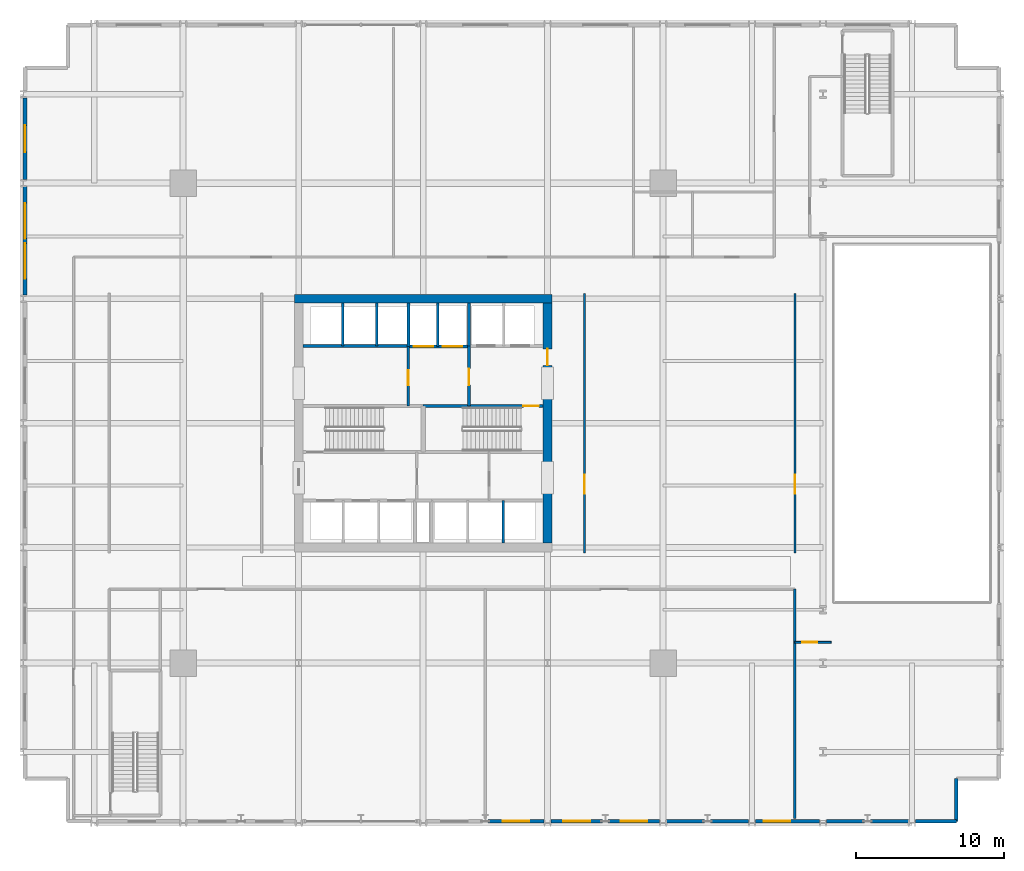
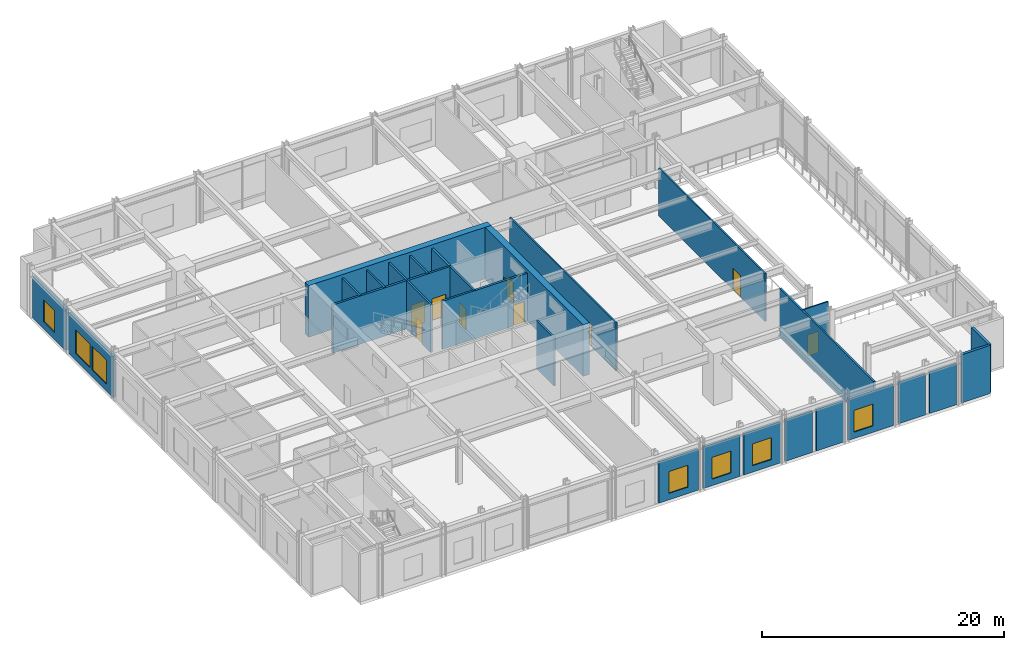
# One storey, part 12 of 20: 29 walls, 9 doors, 7 windows, 16 openings.
"""IFC4 building model written with IfcOpenShell, lengths in metres."""

from ifc_helpers import new_model, si_unit, direction, frame, frame_2d, origin, place, context, subcontext, project, spatial, rectangle, extrude, material, layer, layer_set, type_object, element, fill, save


model = new_model("IFC4")

# Units and contexts
model_context = context("Model", 3, precision=1e-05, world=origin(), true_north=direction((0.0, 1.0)))
body_context = subcontext(model_context, "Body", "Model", "MODEL_VIEW")
ifc_project = project(units=[si_unit("LENGTHUNIT", "METRE"), si_unit("AREAUNIT", "SQUARE_METRE"), si_unit("VOLUMEUNIT", "CUBIC_METRE"), si_unit("PLANEANGLEUNIT", "RADIAN"), si_unit("MASSUNIT", "GRAM", prefix="KILO")], contexts=[model_context])

# Site, building, storey
site_placement = place(None, origin())
site = spatial("IfcSite", under=ifc_project, at=site_placement, CompositionType="ELEMENT")
building_placement = place(site_placement, origin())
building = spatial("IfcBuilding", under=site, at=building_placement, Name="Drelvath Grand Hotel", CompositionType="ELEMENT")
storey_placement = place(building_placement, frame((0.0, 0.0, 5.60009765625)))
storey = spatial("IfcBuildingStorey", under=building, at=storey_placement, Name="L01", CompositionType="ELEMENT", Elevation=5.60009765625)

# Wall
ifc_material_1 = material(Name="Concrete C40/50", Category="concrete")
ifc_layer_1 = layer(ifc_material_1, 0.199951171875)
ifc_layer_set_1 = layer_set([ifc_layer_1], Name="Concrete C40/50")
wall_type_1 = type_object("IfcWallType", Name="Core Hoistway Fire Wall 200", PredefinedType="SOLIDWALL", material=ifc_layer_set_1)
wall_1_placement = place(storey_placement, frame((3.10009765625, 32.219970703125, 0.0), z_axis=(0.0, 0.0, 1.0), x_axis=(0.0, 1.0, 0.0)))
element("IfcWall", 1, at=wall_1_placement, inside=storey, type_object=wall_type_1, Name="L01 FSAE Hoistway West Wall", PredefinedType="SOLIDWALL", context=body_context, shape_type="SweptSolid", body=[
    extrude(rectangle(XDim=2.880126953125, YDim=0.199951171875, at=frame_2d((1.43994140625, 0.0))), origin(), (0.0, 0.0, 1.0), 4.849853515625),
])

# Wall, openings, doors
wall_2_placement = place(storey_placement, frame((-1.0, 32.179931640625, 0.0), z_axis=(0.0, 0.0, 1.0), x_axis=(1.0, 0.0, 0.0)))
wall_2 = element("IfcWall", 2, at=wall_2_placement, inside=storey, type_object=wall_type_1, Name="L01 Service Lift Hoistway Wall", PredefinedType="SOLIDWALL", context=body_context, shape_type="SweptSolid", body=[
    extrude(rectangle(XDim=4.10009765625, YDim=0.199951171875, at=frame_2d((2.050048828125, 0.0))), origin(), (0.0, 0.0, 1.0), 4.849853515625),
])
opening_1_placement = place(wall_2_placement, frame((0.3701171875, 0.0, 0.0)))
opening_1 = element("IfcOpeningElement", 3, at=opening_1_placement, cuts=wall_2, Name="Opening LD-SV-2", PredefinedType="OPENING", context=body_context, shape_type="SweptSolid", body=[
    extrude(rectangle(XDim=1.300048828125, YDim=2.199951171875, at=frame_2d((0.64990234375, 1.10009765625))), frame((0.0, 0.10986328125, 0.0), z_axis=(0.0, -1.0, 0.0), x_axis=(1.0, 0.0, 0.0)), (0.0, 0.0, 1.0), 0.219970703125),
])
opening_2_placement = place(wall_2_placement, frame((2.330078125, 0.0, 0.0)))
opening_2 = element("IfcOpeningElement", 4, at=opening_2_placement, cuts=wall_2, Name="Opening LD-SV-1", PredefinedType="OPENING", context=body_context, shape_type="SweptSolid", body=[
    extrude(rectangle(XDim=1.300048828125, YDim=2.199951171875, at=frame_2d((0.64990234375, 1.10009765625))), frame((0.0, 0.10986328125, 0.0), z_axis=(0.0, -1.0, 0.0), x_axis=(1.0, 0.0, 0.0)), (0.0, 0.0, 1.0), 0.219970703125),
])
ifc_material_2 = material(Name="Stainless Steel S355", Category="steel")
door_type_1 = type_object("IfcDoorType", Name="Service Lift Sliding Landing Door 1300x2200", OperationType="NOTDEFINED", PredefinedType="DOOR", material=ifc_material_2)
door_1_placement = place(opening_1_placement, origin())
door_1 = element("IfcDoor", 5, at=door_1_placement, inside=storey, type_object=door_type_1, Name="L01 Lift SV-2 Landing Door", OperationType="SLIDING_TO_LEFT", OverallHeight=2.199951171875, OverallWidth=1.300048828125, PredefinedType="DOOR", context=body_context, shape_type="SweptSolid", body=[
    extrude(rectangle(XDim=1.300048828125, YDim=2.199951171875, at=frame_2d((0.64990234375, 1.10009765625))), frame((0.0, 0.02490234375, 0.0), z_axis=(0.0, -1.0, 0.0), x_axis=(1.0, 0.0, 0.0)), (0.0, 0.0, 1.0), 0.050048828125),
])
fill(opening_1, door_1)
door_2_placement = place(opening_2_placement, origin())
door_2 = element("IfcDoor", 6, at=door_2_placement, inside=storey, type_object=door_type_1, Name="L01 Lift SV-1 Landing Door", OperationType="SLIDING_TO_LEFT", OverallHeight=2.199951171875, OverallWidth=1.300048828125, PredefinedType="DOOR", context=body_context, shape_type="SweptSolid", body=[
    extrude(rectangle(XDim=1.300048828125, YDim=2.199951171875, at=frame_2d((0.64990234375, 1.10009765625))), frame((0.0, 0.02490234375, 0.0), z_axis=(0.0, -1.0, 0.0), x_axis=(1.0, 0.0, 0.0)), (0.0, 0.0, 1.0), 0.050048828125),
])
fill(opening_2, door_2)

# Walls
wall_3_placement = place(storey_placement, frame((-1.0, 32.179931640625, 0.0), z_axis=(0.0, 0.0, 1.0), x_axis=(0.0, 1.0, 0.0)))
element("IfcWall", 7, at=wall_3_placement, inside=storey, type_object=wall_type_1, Name="L01 Service Lift West Wall", PredefinedType="SOLIDWALL", context=body_context, shape_type="SweptSolid", body=[
    extrude(rectangle(XDim=2.920166015625, YDim=0.199951171875, at=frame_2d((1.4599609375, 0.0))), origin(), (0.0, 0.0, 1.0), 4.849853515625),
])
wall_4_placement = place(storey_placement, frame((-8.10009765625, 32.219970703125, 0.0), z_axis=(0.0, 0.0, 1.0), x_axis=(1.0, 0.0, 0.0)))
element("IfcWall", 8, at=wall_4_placement, inside=storey, type_object=wall_type_1, Name="L01 Bank 3 Hoistway Wall", PredefinedType="SOLIDWALL", context=body_context, shape_type="SweptSolid", body=[
    extrude(rectangle(XDim=7.10009765625, YDim=0.199951171875, at=frame_2d((3.550048828125, 0.0))), origin(), (0.0, 0.0, 1.0), 4.849853515625),
])

# Wall, opening, door
ifc_layer_2 = layer(ifc_material_1, 0.199951171875)
ifc_layer_set_2 = layer_set([ifc_layer_2], Name="Concrete C40/50")
wall_type_2 = type_object("IfcWallType", Name="Core Shaft Fire Wall 200", PredefinedType="SOLIDWALL", material=ifc_layer_set_2)
wall_5_placement = place(storey_placement, frame((8.10009765625, 28.159912109375, 0.0), z_axis=(0.0, 0.0, 1.0), x_axis=(-1.0, 0.0, 0.0)))
wall_5 = element("IfcWall", 9, at=wall_5_placement, inside=storey, type_object=wall_type_2, Name="L01 Stair ST-2 North Wall", PredefinedType="SOLIDWALL", context=body_context, shape_type="SweptSolid", body=[
    extrude(rectangle(XDim=8.10009765625, YDim=0.199951171875, at=frame_2d((4.050048828125, 0.0))), origin(), (0.0, 0.0, 1.0), 4.849853515625),
])
opening_3_placement = place(wall_5_placement, frame((0.280029296875, 0.0, 0.0)))
opening_3 = element("IfcOpeningElement", 10, at=opening_3_placement, cuts=wall_5, Name="Opening D-L01-002", PredefinedType="OPENING", context=body_context, shape_type="SweptSolid", body=[
    extrude(rectangle(XDim=1.050048828125, YDim=2.10009765625, at=frame_2d((0.52490234375, 1.050048828125))), frame((0.0, 0.10986328125, 0.0), z_axis=(0.0, -1.0, 0.0), x_axis=(1.0, 0.0, 0.0)), (0.0, 0.0, 1.0), 0.219970703125),
])
ifc_material_3 = material(Name="Painted Steel S275", Category="steel")
door_type_2 = type_object("IfcDoorType", Name="Tower Stairwell Fire Door 1050x2100", OperationType="NOTDEFINED", PredefinedType="DOOR", material=ifc_material_3)
door_3_placement = place(opening_3_placement, origin())
door_3 = element("IfcDoor", 11, at=door_3_placement, inside=storey, type_object=door_type_2, Name="L01 Exit Stair ST-2 Door", OperationType="SINGLE_SWING_LEFT", OverallHeight=2.10009765625, OverallWidth=1.050048828125, PredefinedType="DOOR", context=body_context, shape_type="SweptSolid", body=[
    extrude(rectangle(XDim=1.050048828125, YDim=2.10009765625, at=frame_2d((0.52490234375, 1.050048828125))), frame((0.0, 0.02490234375, 0.0), z_axis=(0.0, -1.0, 0.0), x_axis=(1.0, 0.0, 0.0)), (0.0, 0.0, 1.0), 0.050048828125),
])
fill(opening_3, door_3)

# Walls
ifc_material_4 = material(Name="Gypsum Fireboard Partition")
ifc_layer_3 = layer(ifc_material_4, 0.1650390625)
ifc_layer_set_3 = layer_set([ifc_layer_3], Name="Gypsum Fireboard Partition")
wall_type_3 = type_object("IfcWallType", Name="Core Shaft Partition 165", PredefinedType="PARTITIONING", material=ifc_layer_set_3)
wall_6_placement = place(storey_placement, frame((1.0, 32.179931640625, 0.0), z_axis=(0.0, 0.0, 1.0), x_axis=(0.0, 1.0, 0.0)))
element("IfcWall", 12, at=wall_6_placement, inside=storey, type_object=wall_type_3, Name="L01 Service Lift Divider", PredefinedType="PARTITIONING", context=body_context, shape_type="SweptSolid", body=[
    extrude(rectangle(XDim=2.920166015625, YDim=0.1650390625, at=frame_2d((1.4599609375, 0.0))), origin(), (0.0, 0.0, 1.0), 4.849853515625),
])
for number, where, z_axis, x_axis, name in (
    (13, (-5.43994140625, 32.219970703125, 0.0), (0.0, 0.0, 1.0), (0.0, 1.0, 0.0), "L01 Lift PE-7/8 Divider"),
    (14, (-3.1201171875, 32.219970703125, 0.0), (0.0, 0.0, 1.0), (0.0, 1.0, 0.0), "L01 Lift PE-8/9 Divider"),
    (15, (5.39990234375, 18.89990234375, 0.0), (0.0, 0.0, 1.0), (0.0, 1.0, 0.0), "L01 Lift PE-5/6 Divider"),
):
    element("IfcWall", number, at=place(storey_placement, frame(where, z_axis=z_axis, x_axis=x_axis)), inside=storey, type_object=wall_type_3, Name=name, PredefinedType="PARTITIONING", context=body_context, shape_type="SweptSolid", body=[
        extrude(rectangle(XDim=2.880126953125, YDim=0.1650390625, at=frame_2d((1.43994140625, 0.0))), origin(), (0.0, 0.0, 1.0), 4.849853515625),
    ])

# Wall, opening, door
ifc_layer_4 = layer(ifc_material_4, 0.135009765625)
ifc_layer_set_4 = layer_set([ifc_layer_4], Name="Gypsum Fireboard Partition")
wall_type_4 = type_object("IfcWallType", Name="Corridor Fire Barrier Wall 135", PredefinedType="PARTITIONING", material=ifc_layer_set_4)
wall_7_placement = place(storey_placement, frame((10.89990234375, 18.239990234375, 0.0), z_axis=(0.0, 0.0, 1.0), x_axis=(0.0, 1.0, 0.0)))
wall_7 = element("IfcWall", 16, at=wall_7_placement, inside=storey, type_object=wall_type_4, Name="L01 East Inner Gallery Wall", PredefinedType="PARTITIONING", context=body_context, shape_type="SweptSolid", body=[
    extrude(rectangle(XDim=17.52001953125, YDim=0.135009765625, at=frame_2d((8.760009765625, 0.0))), origin(), (0.0, 0.0, 1.0), 4.849853515625),
])
opening_4_placement = place(wall_7_placement, frame((4.0, 0.0, 0.0)))
opening_4 = element("IfcOpeningElement", 17, at=opening_4_placement, cuts=wall_7, Name="Opening D-L01-029", PredefinedType="OPENING", context=body_context, shape_type="SweptSolid", body=[
    extrude(rectangle(XDim=1.260009765625, YDim=2.199951171875, at=frame_2d((0.6298828125, 1.10009765625))), frame((0.0, 0.077392578125, 0.0), z_axis=(0.0, -1.0, 0.0), x_axis=(1.0, 0.0, 0.0)), (0.0, 0.0, 1.0), 0.155029296875),
])
ifc_material_5 = material(Name="Hardwood Walnut Timber", Category="wood")
door_type_3 = type_object("IfcDoorType", Name="Suite Entrance Fire Door 1260x2200", OperationType="NOTDEFINED", PredefinedType="DOOR", material=ifc_material_5)
door_4_placement = place(opening_4_placement, origin())
door_4 = element("IfcDoor", 18, at=door_4_placement, inside=storey, type_object=door_type_3, Name="L01 Center-East Room West Door", OperationType="SINGLE_SWING_RIGHT", OverallHeight=2.199951171875, OverallWidth=1.260009765625, PredefinedType="DOOR", context=body_context, shape_type="SweptSolid", body=[
    extrude(rectangle(XDim=1.260009765625, YDim=2.199951171875, at=frame_2d((0.6298828125, 1.10009765625))), frame((0.0, 0.02490234375, 0.0), z_axis=(0.0, -1.0, 0.0), x_axis=(1.0, 0.0, 0.0)), (0.0, 0.0, 1.0), 0.050048828125),
])
fill(opening_4, door_4)

wall_8_placement = place(storey_placement, frame((25.10009765625, 18.239990234375, 0.0), z_axis=(0.0, 0.0, 1.0), x_axis=(0.0, 1.0, 0.0)))
wall_8 = element("IfcWall", 19, at=wall_8_placement, inside=storey, type_object=wall_type_4, Name="L01 Atrium Promenade Inner Wall", PredefinedType="PARTITIONING", context=body_context, shape_type="SweptSolid", body=[
    extrude(rectangle(XDim=17.52001953125, YDim=0.135009765625, at=frame_2d((8.760009765625, 0.0))), origin(), (0.0, 0.0, 1.0), 4.849853515625),
])
opening_5_placement = place(wall_8_placement, frame((4.0, 0.0, 0.0)))
opening_5 = element("IfcOpeningElement", 20, at=opening_5_placement, cuts=wall_8, Name="Opening D-L01-030", PredefinedType="OPENING", context=body_context, shape_type="SweptSolid", body=[
    extrude(rectangle(XDim=1.260009765625, YDim=2.199951171875, at=frame_2d((0.6298828125, 1.10009765625))), frame((0.0, 0.077392578125, 0.0), z_axis=(0.0, -1.0, 0.0), x_axis=(1.0, 0.0, 0.0)), (0.0, 0.0, 1.0), 0.155029296875),
])
door_5_placement = place(opening_5_placement, origin())
door_5 = element("IfcDoor", 21, at=door_5_placement, inside=storey, type_object=door_type_3, Name="L01 Center-East Room Atrium Door", OperationType="SINGLE_SWING_LEFT", OverallHeight=2.199951171875, OverallWidth=1.260009765625, PredefinedType="DOOR", context=body_context, shape_type="SweptSolid", body=[
    extrude(rectangle(XDim=1.260009765625, YDim=2.199951171875, at=frame_2d((0.6298828125, 1.10009765625))), frame((0.0, 0.02490234375, 0.0), z_axis=(0.0, -1.0, 0.0), x_axis=(1.0, 0.0, 0.0)), (0.0, 0.0, 1.0), 0.050048828125),
])
fill(opening_5, door_5)

wall_9_placement = place(storey_placement, frame((25.10009765625, 12.199951171875, 0.0), z_axis=(0.0, 0.0, 1.0), x_axis=(1.0, 0.0, 0.0)))
wall_9 = element("IfcWall", 22, at=wall_9_placement, inside=storey, type_object=wall_type_4, Name="L01 SE Atrium Corner Return", PredefinedType="PARTITIONING", context=body_context, shape_type="SweptSolid", body=[
    extrude(rectangle(XDim=2.449951171875, YDim=0.135009765625, at=frame_2d((1.22509765625, 0.0))), origin(), (0.0, 0.0, 1.0), 4.849853515625),
])
opening_6_placement = place(wall_9_placement, frame((0.5, 0.0, 0.0)))
opening_6 = element("IfcOpeningElement", 23, at=opening_6_placement, cuts=wall_9, Name="Opening D-L01-021", PredefinedType="OPENING", context=body_context, shape_type="SweptSolid", body=[
    extrude(rectangle(XDim=1.02001953125, YDim=2.14990234375, at=frame_2d((0.510009765625, 1.074951171875))), frame((0.0, 0.077392578125, 0.0), z_axis=(0.0, -1.0, 0.0), x_axis=(1.0, 0.0, 0.0)), (0.0, 0.0, 1.0), 0.155029296875),
])
door_type_4 = type_object("IfcDoorType", Name="Amenity Meeting Fire Door 1020x2150", OperationType="NOTDEFINED", PredefinedType="DOOR", material=ifc_material_5)
door_6_placement = place(opening_6_placement, origin())
door_6 = element("IfcDoor", 24, at=door_6_placement, inside=storey, type_object=door_type_4, Name="L01 SE VIP Salon Door", OperationType="SINGLE_SWING_RIGHT", OverallHeight=2.14990234375, OverallWidth=1.02001953125, PredefinedType="DOOR", context=body_context, shape_type="SweptSolid", body=[
    extrude(rectangle(XDim=1.02001953125, YDim=2.14990234375, at=frame_2d((0.510009765625, 1.074951171875))), frame((0.0, 0.02490234375, 0.0), z_axis=(0.0, -1.0, 0.0), x_axis=(1.0, 0.0, 0.0)), (0.0, 0.0, 1.0), 0.050048828125),
])
fill(opening_6, door_6)

ifc_layer_5 = layer(ifc_material_4, 0.179931640625)
ifc_layer_set_5 = layer_set([ifc_layer_5], Name="Gypsum Fireboard Partition")
wall_type_5 = type_object("IfcWallType", Name="FSAE Smoke Lobby Fire Wall 180", PredefinedType="SOLIDWALL", material=ifc_layer_set_5)
wall_10_placement = place(storey_placement, frame((3.10009765625, 28.159912109375, 0.0), z_axis=(0.0, 0.0, 1.0), x_axis=(0.0, 1.0, 0.0)))
wall_10 = element("IfcWall", 25, at=wall_10_placement, inside=storey, type_object=wall_type_5, Name="L01 FSAE Smoke Lobby West Wall", PredefinedType="SOLIDWALL", context=body_context, shape_type="SweptSolid", body=[
    extrude(rectangle(XDim=4.06005859375, YDim=0.179931640625, at=frame_2d((2.030029296875, 0.0))), origin(), (0.0, 0.0, 1.0), 4.849853515625),
])
opening_7_placement = place(wall_10_placement, frame((1.39990234375, 0.0, 0.0)))
opening_7 = element("IfcOpeningElement", 26, at=opening_7_placement, cuts=wall_10, Name="Opening D-L01-005", PredefinedType="OPENING", context=body_context, shape_type="SweptSolid", body=[
    extrude(rectangle(XDim=1.1201171875, YDim=2.10009765625, at=frame_2d((0.56005859375, 1.050048828125))), frame((0.0, 0.099853515625, 0.0), z_axis=(0.0, -1.0, 0.0), x_axis=(1.0, 0.0, 0.0)), (0.0, 0.0, 1.0), 0.199951171875),
])
door_type_5 = type_object("IfcDoorType", Name="FSAE Smoke Lobby Fire Door 1120x2100", OperationType="NOTDEFINED", PredefinedType="DOOR", material=ifc_material_3)
door_7_placement = place(opening_7_placement, origin())
door_7 = element("IfcDoor", 27, at=door_7_placement, inside=storey, type_object=door_type_5, Name="L01 FSAE Lobby Service Vestibule Door", OperationType="SINGLE_SWING_RIGHT", OverallHeight=2.10009765625, OverallWidth=1.1201171875, PredefinedType="DOOR", context=body_context, shape_type="SweptSolid", body=[
    extrude(rectangle(XDim=1.1201171875, YDim=2.10009765625, at=frame_2d((0.56005859375, 1.050048828125))), frame((0.0, 0.02490234375, 0.0), z_axis=(0.0, -1.0, 0.0), x_axis=(1.0, 0.0, 0.0)), (0.0, 0.0, 1.0), 0.050048828125),
])
fill(opening_7, door_7)

wall_11_placement = place(storey_placement, frame((-1.0, 28.159912109375, 0.0), z_axis=(0.0, 0.0, 1.0), x_axis=(0.0, 1.0, 0.0)))
wall_11 = element("IfcWall", 28, at=wall_11_placement, inside=storey, type_object=wall_type_5, Name="L01 Service Vestibule West Wall", PredefinedType="SOLIDWALL", context=body_context, shape_type="SweptSolid", body=[
    extrude(rectangle(XDim=4.02001953125, YDim=0.179931640625, at=frame_2d((2.010009765625, 0.0))), origin(), (0.0, 0.0, 1.0), 4.849853515625),
])
opening_8_placement = place(wall_11_placement, frame((1.39990234375, 0.0, 0.0)))
opening_8 = element("IfcOpeningElement", 29, at=opening_8_placement, cuts=wall_11, Name="Opening D-L01-009", PredefinedType="OPENING", context=body_context, shape_type="SweptSolid", body=[
    extrude(rectangle(XDim=1.0, YDim=2.10009765625, at=frame_2d((0.5, 1.050048828125))), frame((0.0, 0.099853515625, 0.0), z_axis=(0.0, -1.0, 0.0), x_axis=(1.0, 0.0, 0.0)), (0.0, 0.0, 1.0), 0.199951171875),
])
door_type_6 = type_object("IfcDoorType", Name="Core Service Fire Door 1000x2100", OperationType="NOTDEFINED", PredefinedType="DOOR", material=ifc_material_3)
door_8_placement = place(opening_8_placement, origin())
door_8 = element("IfcDoor", 30, at=door_8_placement, inside=storey, type_object=door_type_6, Name="L01 Service Vestibule West Door", OperationType="SINGLE_SWING_LEFT", OverallHeight=2.10009765625, OverallWidth=1.0, PredefinedType="DOOR", context=body_context, shape_type="SweptSolid", body=[
    extrude(rectangle(XDim=1.0, YDim=2.10009765625, at=frame_2d((0.5, 1.050048828125))), frame((0.0, 0.02490234375, 0.0), z_axis=(0.0, -1.0, 0.0), x_axis=(1.0, 0.0, 0.0)), (0.0, 0.0, 1.0), 0.050048828125),
])
fill(opening_8, door_8)

# Wall
ifc_material_6 = material(Name="Concrete f'c 70 MPa", Category="concrete")
ifc_layer_6 = layer(ifc_material_6, 0.60009765625)
ifc_layer_set_6 = layer_set([ifc_layer_6], Name="Concrete f'c 70 MPa")
wall_type_6 = type_object("IfcWallType", Name="Lower Core RC Shear Wall 600", PredefinedType="SHEAR", material=ifc_layer_set_6)
wall_12_placement = place(storey_placement, frame((-8.699951171875, 35.39990234375, 0.0), z_axis=(0.0, 0.0, 1.0), x_axis=(1.0, 0.0, 0.0)))
element("IfcWall", 31, at=wall_12_placement, inside=storey, type_object=wall_type_6, Name="L01 Central Core Shear Wall N", PredefinedType="SHEAR", context=body_context, shape_type="SweptSolid", body=[
    extrude(rectangle(XDim=17.39990234375, YDim=0.60009765625, at=frame_2d((8.699951171875, 0.0))), origin(), (0.0, 0.0, 1.0), 5.199951171875),
])

# Wall, opening, door
wall_13_placement = place(storey_placement, frame((8.39990234375, 35.10009765625, 0.0), z_axis=(0.0, 0.0, 1.0), x_axis=(0.0, -1.0, 0.0)))
wall_13 = element("IfcWall", 32, at=wall_13_placement, inside=storey, type_object=wall_type_6, Name="L01 Central Core Shear Wall E", PredefinedType="SHEAR", context=body_context, shape_type="SweptSolid", body=[
    extrude(rectangle(XDim=16.2001953125, YDim=0.60009765625, at=frame_2d((8.10009765625, 0.0))), origin(), (0.0, 0.0, 1.0), 5.199951171875),
])
opening_9_placement = place(wall_13_placement, frame((3.080078125, 0.0, 0.0)))
opening_9 = element("IfcOpeningElement", 33, at=opening_9_placement, cuts=wall_13, Name="Opening D-L01-006", PredefinedType="OPENING", context=body_context, shape_type="SweptSolid", body=[
    extrude(rectangle(XDim=1.1201171875, YDim=2.10009765625, at=frame_2d((0.56005859375, 1.050048828125))), frame((0.0, 0.31005859375, 0.0), z_axis=(0.0, -1.0, 0.0), x_axis=(1.0, 0.0, 0.0)), (0.0, 0.0, 1.0), 0.6201171875),
])
door_9_placement = place(opening_9_placement, origin())
door_9 = element("IfcDoor", 34, at=door_9_placement, inside=storey, type_object=door_type_5, Name="L01 FSAE Lobby East Corridor Door", OperationType="SINGLE_SWING_LEFT", OverallHeight=2.10009765625, OverallWidth=1.1201171875, PredefinedType="DOOR", context=body_context, shape_type="SweptSolid", body=[
    extrude(rectangle(XDim=1.1201171875, YDim=2.10009765625, at=frame_2d((0.56005859375, 1.050048828125))), frame((0.0, 0.02490234375, 0.0), z_axis=(0.0, -1.0, 0.0), x_axis=(1.0, 0.0, 0.0)), (0.0, 0.0, 1.0), 0.050048828125),
])
fill(opening_9, door_9)

# Wall, openings, windows
ifc_material_7 = material(Name="Insulated Granite Rainscreen Assembly", Category="masonry")
ifc_layer_7 = layer(ifc_material_7, 0.239990234375)
ifc_layer_set_7 = layer_set([ifc_layer_7], Name="Insulated Granite Rainscreen Assembly")
wall_type_7 = type_object("IfcWallType", Name="Podium Granite Rainscreen Exterior Wall 240", PredefinedType="STANDARD", material=ifc_layer_set_7)
wall_14_placement = place(storey_placement, frame((-26.8798828125, 35.640869140625, 0.0), z_axis=(0.0, 0.0, 1.0), x_axis=(0.0, 1.0, 0.0)))
wall_14 = element("IfcWall", 35, at=wall_14_placement, inside=storey, type_object=wall_type_7, Name="L01 West Podium Granite Wall 6", PredefinedType="STANDARD", context=body_context, shape_type="SweptSolid", body=[
    extrude(rectangle(XDim=7.318115234375, YDim=0.239990234375, at=frame_2d((3.6591796875, 0.0))), origin(), (0.0, 0.0, 1.0), 4.154296875),
])
opening_10_placement = place(wall_14_placement, frame((1.10009765625, 0.0, 0.699951171875)))
opening_10 = element("IfcOpeningElement", 36, at=opening_10_placement, cuts=wall_14, Name="Opening W-01", PredefinedType="OPENING", context=body_context, shape_type="SweptSolid", body=[
    extrude(rectangle(XDim=2.39990234375, YDim=2.39990234375, at=frame_2d((1.199951171875, 1.199951171875))), frame((0.0, 0.1298828125, 0.0), z_axis=(0.0, -1.0, 0.0), x_axis=(1.0, 0.0, 0.0)), (0.0, 0.0, 1.0), 0.260009765625),
])
opening_11_placement = place(wall_14_placement, frame((3.818115234375, 0.0, 0.699951171875)))
opening_11 = element("IfcOpeningElement", 37, at=opening_11_placement, cuts=wall_14, Name="Opening W-01", PredefinedType="OPENING", context=body_context, shape_type="SweptSolid", body=[
    extrude(rectangle(XDim=2.39990234375, YDim=2.39990234375, at=frame_2d((1.199951171875, 1.199951171875))), frame((0.0, 0.1298828125, 0.0), z_axis=(0.0, -1.0, 0.0), x_axis=(1.0, 0.0, 0.0)), (0.0, 0.0, 1.0), 0.260009765625),
])
ifc_material_8 = material(Name="Bronze Anodised Low-E Triple Glazing", Category="glass")
window_type_1 = type_object("IfcWindowType", Name="Chicago Triple-Pane Podium Window 2400x2600", PartitioningType="TRIPLE_PANEL_VERTICAL", PredefinedType="WINDOW", material=ifc_material_8)
window_1_placement = place(opening_10_placement, origin())
window_1 = element("IfcWindow", 38, at=window_1_placement, inside=storey, type_object=window_type_1, Name="L01 West Podium Window 6-1", OverallHeight=2.39990234375, OverallWidth=2.39990234375, PartitioningType="SINGLE_PANEL", PredefinedType="WINDOW", context=body_context, shape_type="SweptSolid", body=[
    extrude(rectangle(XDim=2.39990234375, YDim=2.39990234375, at=frame_2d((1.199951171875, 1.199951171875))), frame((0.0, 0.030029296875, 0.0), z_axis=(0.0, -1.0, 0.0), x_axis=(1.0, 0.0, 0.0)), (0.0, 0.0, 1.0), 0.06005859375),
])
fill(opening_10, window_1)
window_2_placement = place(opening_11_placement, origin())
window_2 = element("IfcWindow", 39, at=window_2_placement, inside=storey, type_object=window_type_1, Name="L01 West Podium Window 6-2", OverallHeight=2.39990234375, OverallWidth=2.39990234375, PartitioningType="SINGLE_PANEL", PredefinedType="WINDOW", context=body_context, shape_type="SweptSolid", body=[
    extrude(rectangle(XDim=2.39990234375, YDim=2.39990234375, at=frame_2d((1.199951171875, 1.199951171875))), frame((0.0, 0.030029296875, 0.0), z_axis=(0.0, -1.0, 0.0), x_axis=(1.0, 0.0, 0.0)), (0.0, 0.0, 1.0), 0.06005859375),
])
fill(opening_11, window_2)

# Wall, opening, window
wall_15_placement = place(storey_placement, frame((-26.8798828125, 43.44091796875, 0.0), z_axis=(0.0, 0.0, 1.0), x_axis=(0.0, 1.0, 0.0)))
wall_15 = element("IfcWall", 40, at=wall_15_placement, inside=storey, type_object=wall_type_7, Name="L01 West Podium Granite Wall 7", PredefinedType="STANDARD", context=body_context, shape_type="SweptSolid", body=[
    extrude(rectangle(XDim=5.51806640625, YDim=0.239990234375, at=frame_2d((2.759033203125, 0.0))), origin(), (0.0, 0.0, 1.0), 4.154296875),
])
opening_12_placement = place(wall_15_placement, frame((1.859130859375, 0.0, 0.699951171875)))
opening_12 = element("IfcOpeningElement", 41, at=opening_12_placement, cuts=wall_15, Name="Opening W-02", PredefinedType="OPENING", context=body_context, shape_type="SweptSolid", body=[
    extrude(rectangle(XDim=1.800048828125, YDim=2.199951171875, at=frame_2d((0.89990234375, 1.10009765625))), frame((0.0, 0.1298828125, 0.0), z_axis=(0.0, -1.0, 0.0), x_axis=(1.0, 0.0, 0.0)), (0.0, 0.0, 1.0), 0.260009765625),
])
window_type_2 = type_object("IfcWindowType", Name="Chicago Double-Pane Podium Window 1800x2400", PartitioningType="DOUBLE_PANEL_VERTICAL", PredefinedType="WINDOW", material=ifc_material_8)
window_3_placement = place(opening_12_placement, origin())
window_3 = element("IfcWindow", 42, at=window_3_placement, inside=storey, type_object=window_type_2, Name="L01 West Podium Window 7", OverallHeight=2.199951171875, OverallWidth=1.800048828125, PartitioningType="SINGLE_PANEL", PredefinedType="WINDOW", context=body_context, shape_type="SweptSolid", body=[
    extrude(rectangle(XDim=1.800048828125, YDim=2.199951171875, at=frame_2d((0.89990234375, 1.10009765625))), frame((0.0, 0.030029296875, 0.0), z_axis=(0.0, -1.0, 0.0), x_axis=(1.0, 0.0, 0.0)), (0.0, 0.0, 1.0), 0.06005859375),
])
fill(opening_12, window_3)

wall_16_placement = place(storey_placement, frame((8.1591796875, 0.1201171875, 0.0), z_axis=(0.0, 0.0, 1.0), x_axis=(-1.0, 0.0, 0.0)))
wall_16 = element("IfcWall", 43, at=wall_16_placement, inside=storey, type_object=wall_type_7, Name="L01 South Podium Granite Wall 8", PredefinedType="STANDARD", context=body_context, shape_type="SweptSolid", body=[
    extrude(rectangle(XDim=3.7666015625, YDim=0.239990234375, at=frame_2d((1.88330078125, 0.0))), origin(), (0.0, 0.0, 1.0), 4.154296875),
])
opening_13_placement = place(wall_16_placement, frame((0.983154296875, 0.0, 0.64990234375)))
opening_13 = element("IfcOpeningElement", 44, at=opening_13_placement, cuts=wall_16, Name="Opening W-02", PredefinedType="OPENING", context=body_context, shape_type="SweptSolid", body=[
    extrude(rectangle(XDim=1.800048828125, YDim=2.199951171875, at=frame_2d((0.89990234375, 1.10009765625))), frame((0.0, 0.1298828125, 0.0), z_axis=(0.0, -1.0, 0.0), x_axis=(1.0, 0.0, 0.0)), (0.0, 0.0, 1.0), 0.260009765625),
])
window_4_placement = place(opening_13_placement, origin())
window_4 = element("IfcWindow", 45, at=window_4_placement, inside=storey, type_object=window_type_2, Name="L01 South Chicago Window 8", OverallHeight=2.199951171875, OverallWidth=1.800048828125, PartitioningType="SINGLE_PANEL", PredefinedType="WINDOW", context=body_context, shape_type="SweptSolid", body=[
    extrude(rectangle(XDim=1.800048828125, YDim=2.199951171875, at=frame_2d((0.89990234375, 1.10009765625))), frame((0.0, 0.030029296875, 0.0), z_axis=(0.0, -1.0, 0.0), x_axis=(1.0, 0.0, 0.0)), (0.0, 0.0, 1.0), 0.06005859375),
])
fill(opening_13, window_4)

wall_17_placement = place(storey_placement, frame((12.107421875, 0.1201171875, 0.0), z_axis=(0.0, 0.0, 1.0), x_axis=(-1.0, 0.0, 0.0)))
wall_17 = element("IfcWall", 46, at=wall_17_placement, inside=storey, type_object=wall_type_7, Name="L01 South Podium Granite Wall 9", PredefinedType="STANDARD", context=body_context, shape_type="SweptSolid", body=[
    extrude(rectangle(XDim=3.466552734375, YDim=0.239990234375, at=frame_2d((1.7333984375, 0.0))), origin(), (0.0, 0.0, 1.0), 4.154296875),
])
opening_14_placement = place(wall_17_placement, frame((0.833251953125, 0.0, 0.64990234375)))
opening_14 = element("IfcOpeningElement", 47, at=opening_14_placement, cuts=wall_17, Name="Opening W-02", PredefinedType="OPENING", context=body_context, shape_type="SweptSolid", body=[
    extrude(rectangle(XDim=1.800048828125, YDim=2.199951171875, at=frame_2d((0.89990234375, 1.10009765625))), frame((0.0, 0.1298828125, 0.0), z_axis=(0.0, -1.0, 0.0), x_axis=(1.0, 0.0, 0.0)), (0.0, 0.0, 1.0), 0.260009765625),
])
window_5_placement = place(opening_14_placement, origin())
window_5 = element("IfcWindow", 48, at=window_5_placement, inside=storey, type_object=window_type_2, Name="L01 South Chicago Window 9", OverallHeight=2.199951171875, OverallWidth=1.800048828125, PartitioningType="SINGLE_PANEL", PredefinedType="WINDOW", context=body_context, shape_type="SweptSolid", body=[
    extrude(rectangle(XDim=1.800048828125, YDim=2.199951171875, at=frame_2d((0.89990234375, 1.10009765625))), frame((0.0, 0.030029296875, 0.0), z_axis=(0.0, -1.0, 0.0), x_axis=(1.0, 0.0, 0.0)), (0.0, 0.0, 1.0), 0.06005859375),
])
fill(opening_14, window_5)

wall_18_placement = place(storey_placement, frame((15.958984375, 0.1201171875, 0.0), z_axis=(0.0, 0.0, 1.0), x_axis=(-1.0, 0.0, 0.0)))
wall_18 = element("IfcWall", 49, at=wall_18_placement, inside=storey, type_object=wall_type_7, Name="L01 South Podium Granite Wall 10", PredefinedType="STANDARD", context=body_context, shape_type="SweptSolid", body=[
    extrude(rectangle(XDim=3.46630859375, YDim=0.239990234375, at=frame_2d((1.733154296875, 0.0))), origin(), (0.0, 0.0, 1.0), 4.154296875),
])
opening_15_placement = place(wall_18_placement, frame((0.833251953125, 0.0, 0.64990234375)))
opening_15 = element("IfcOpeningElement", 50, at=opening_15_placement, cuts=wall_18, Name="Opening W-02", PredefinedType="OPENING", context=body_context, shape_type="SweptSolid", body=[
    extrude(rectangle(XDim=1.800048828125, YDim=2.199951171875, at=frame_2d((0.89990234375, 1.10009765625))), frame((0.0, 0.1298828125, 0.0), z_axis=(0.0, -1.0, 0.0), x_axis=(1.0, 0.0, 0.0)), (0.0, 0.0, 1.0), 0.260009765625),
])
window_6_placement = place(opening_15_placement, origin())
window_6 = element("IfcWindow", 51, at=window_6_placement, inside=storey, type_object=window_type_2, Name="L01 South Chicago Window 10", OverallHeight=2.199951171875, OverallWidth=1.800048828125, PartitioningType="SINGLE_PANEL", PredefinedType="WINDOW", context=body_context, shape_type="SweptSolid", body=[
    extrude(rectangle(XDim=1.800048828125, YDim=2.199951171875, at=frame_2d((0.89990234375, 1.10009765625))), frame((0.0, 0.030029296875, 0.0), z_axis=(0.0, -1.0, 0.0), x_axis=(1.0, 0.0, 0.0)), (0.0, 0.0, 1.0), 0.06005859375),
])
fill(opening_15, window_6)

# Walls
for number, where, z_axis, x_axis, name in (
    (52, (19.00732421875, 0.1201171875, 0.0), (0.0, 0.0, 1.0), (-1.0, 0.0, 0.0), "L01 South Podium Granite Wall 11"),
    (53, (21.958984375, 0.1201171875, 0.0), (0.0, 0.0, 1.0), (-1.0, 0.0, 0.0), "L01 South Podium Granite Wall 12"),
):
    element("IfcWall", number, at=place(storey_placement, frame(where, z_axis=z_axis, x_axis=x_axis)), inside=storey, type_object=wall_type_7, Name=name, PredefinedType="STANDARD", context=body_context, shape_type="SweptSolid", body=[
        extrude(rectangle(XDim=2.56640625, YDim=0.239990234375, at=frame_2d((1.283203125, 0.0))), origin(), (0.0, 0.0, 1.0), 4.154296875),
    ])

# Wall, opening, window
wall_19_placement = place(storey_placement, frame((26.759033203125, 0.1201171875, 0.0), z_axis=(0.0, 0.0, 1.0), x_axis=(-1.0, 0.0, 0.0)))
wall_19 = element("IfcWall", 54, at=wall_19_placement, inside=storey, type_object=wall_type_7, Name="L01 South Podium Granite Wall 13", PredefinedType="STANDARD", context=body_context, shape_type="SweptSolid", body=[
    extrude(rectangle(XDim=4.318115234375, YDim=0.239990234375, at=frame_2d((2.1591796875, 0.0))), origin(), (0.0, 0.0, 1.0), 4.154296875),
])
opening_16_placement = place(wall_19_placement, frame((1.958984375, 0.0, 0.64990234375)))
opening_16 = element("IfcOpeningElement", 55, at=opening_16_placement, cuts=wall_19, Name="Opening W-02", PredefinedType="OPENING", context=body_context, shape_type="SweptSolid", body=[
    extrude(rectangle(XDim=1.800048828125, YDim=2.199951171875, at=frame_2d((0.89990234375, 1.10009765625))), frame((0.0, 0.1298828125, 0.0), z_axis=(0.0, -1.0, 0.0), x_axis=(1.0, 0.0, 0.0)), (0.0, 0.0, 1.0), 0.260009765625),
])
window_7_placement = place(opening_16_placement, origin())
window_7 = element("IfcWindow", 56, at=window_7_placement, inside=storey, type_object=window_type_2, Name="L01 South Chicago Window 13", OverallHeight=2.199951171875, OverallWidth=1.800048828125, PartitioningType="SINGLE_PANEL", PredefinedType="WINDOW", context=body_context, shape_type="SweptSolid", body=[
    extrude(rectangle(XDim=1.800048828125, YDim=2.199951171875, at=frame_2d((0.89990234375, 1.10009765625))), frame((0.0, 0.030029296875, 0.0), z_axis=(0.0, -1.0, 0.0), x_axis=(1.0, 0.0, 0.0)), (0.0, 0.0, 1.0), 0.06005859375),
])
fill(opening_16, window_7)

# Walls
for number, where, z_axis, x_axis, name in (
    (57, (29.807373046875, 0.1201171875, 0.0), (0.0, 0.0, 1.0), (-1.0, 0.0, 0.0), "L01 South Podium Granite Wall 14"),
    (58, (32.759033203125, 0.1201171875, 0.0), (0.0, 0.0, 1.0), (-1.0, 0.0, 0.0), "L01 South Podium Granite Wall 15"),
):
    element("IfcWall", number, at=place(storey_placement, frame(where, z_axis=z_axis, x_axis=x_axis)), inside=storey, type_object=wall_type_7, Name=name, PredefinedType="STANDARD", context=body_context, shape_type="SweptSolid", body=[
        extrude(rectangle(XDim=2.56640625, YDim=0.239990234375, at=frame_2d((1.283203125, 0.0))), origin(), (0.0, 0.0, 1.0), 4.154296875),
    ])
wall_20_placement = place(storey_placement, frame((36.0, 0.1201171875, 0.0), z_axis=(0.0, 0.0, 1.0), x_axis=(-1.0, 0.0, 0.0)))
element("IfcWall", 59, at=wall_20_placement, inside=storey, type_object=wall_type_7, Name="L01 South Podium Granite Wall 16", PredefinedType="STANDARD", context=body_context, shape_type="SweptSolid", body=[
    extrude(rectangle(XDim=2.759033203125, YDim=0.239990234375, at=frame_2d((1.37939453125, 0.0))), origin(), (0.0, 0.0, 1.0), 4.849853515625),
])
wall_21_placement = place(storey_placement, frame((36.0, 3.0, 0.0), z_axis=(0.0, 0.0, 1.0), x_axis=(0.0, -1.0, 0.0)))
element("IfcWall", 60, at=wall_21_placement, inside=storey, type_object=wall_type_7, Name="L01 Podium Corner Return Wall CSE2", PredefinedType="STANDARD", context=body_context, shape_type="SweptSolid", body=[
    extrude(rectangle(XDim=2.8798828125, YDim=0.239990234375, at=frame_2d((1.43994140625, 0.0))), origin(), (0.0, 0.0, 1.0), 4.849853515625),
])
ifc_material_9 = material(Name="Gypsum Acoustic Partition")
ifc_layer_8 = layer(ifc_material_9, 0.1650390625)
ifc_layer_set_8 = layer_set([ifc_layer_8], Name="Gypsum Acoustic Partition")
wall_type_8 = type_object("IfcWallType", Name="Suite Demising Wall 165", PredefinedType="PARTITIONING", material=ifc_layer_set_8)
wall_22_placement = place(storey_placement, frame((25.10009765625, 0.300048828125, 0.0), z_axis=(0.0, 0.0, 1.0), x_axis=(0.0, 1.0, 0.0)))
element("IfcWall", 61, at=wall_22_placement, inside=storey, type_object=wall_type_8, Name="L01 SE Wing Wall", PredefinedType="PARTITIONING", context=body_context, shape_type="SweptSolid", body=[
    extrude(rectangle(XDim=15.5, YDim=0.1650390625, at=frame_2d((7.75, 0.0))), origin(), (0.0, 0.0, 1.0), 4.849853515625),
])

save(model, "model.ifc")
